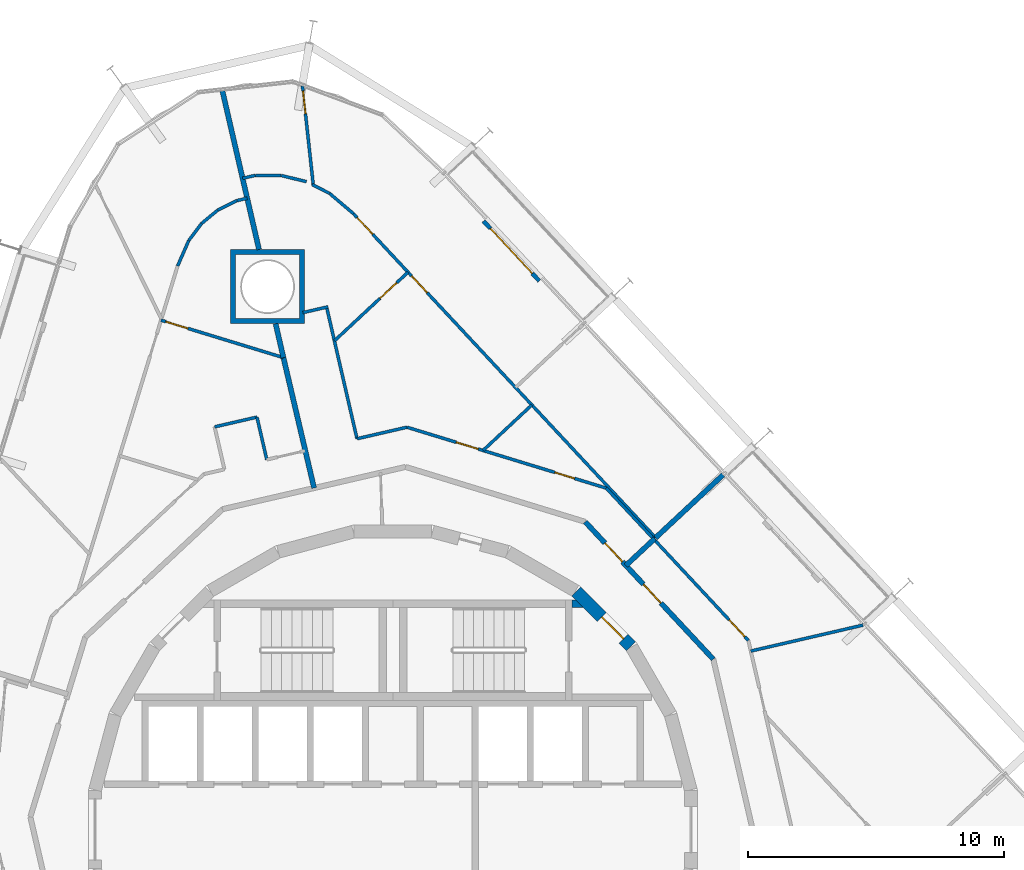
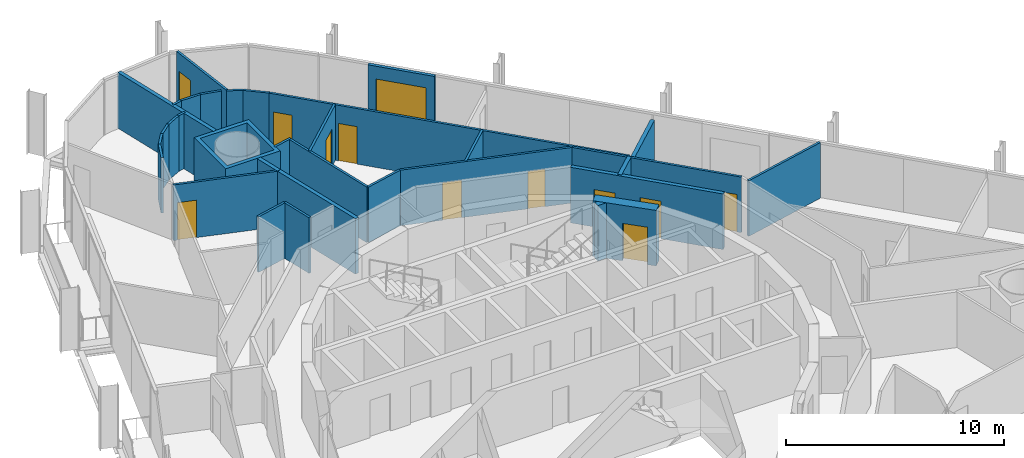
# One storey, part 16 of 18: 33 walls, 12 doors, 12 openings.
"""IFC4 building model written with IfcOpenShell, lengths in metres."""

from ifc_helpers import new_model, si_unit, direction, frame, frame_2d, origin, place, context, subcontext, project, spatial, polyline, rectangle, outline, extrude, material, layer, layer_set, type_object, element, fill, save


model = new_model("IFC4")

# Units and contexts
model_context = context("Model", 3, precision=1e-05, world=origin(), true_north=direction((0.0, 1.0)))
body_context = subcontext(model_context, "Body", "Model", "MODEL_VIEW")
ifc_project = project(units=[si_unit("LENGTHUNIT", "METRE"), si_unit("AREAUNIT", "SQUARE_METRE"), si_unit("VOLUMEUNIT", "CUBIC_METRE"), si_unit("PLANEANGLEUNIT", "RADIAN"), si_unit("MASSUNIT", "GRAM", prefix="KILO")], contexts=[model_context])

# Site, building, storey
site_placement = place(None, origin())
site = spatial("IfcSite", under=ifc_project, at=site_placement, CompositionType="ELEMENT")
building_placement = place(site_placement, origin())
building = spatial("IfcBuilding", under=site, at=building_placement, Name="Spindle Arch Residences", CompositionType="ELEMENT")
storey_placement = place(building_placement, frame((0.0, 0.0, 134.39990234375)))
storey = spatial("IfcBuildingStorey", under=building, at=storey_placement, Name="L33", CompositionType="ELEMENT", Elevation=134.39990234375)

# Wall, opening, door
ifc_material_1 = material(Name="Concrete C50/60", Category="concrete")
ifc_layer_1 = layer(ifc_material_1, 0.5)
ifc_layer_set_1 = layer_set([ifc_layer_1], Name="Core outline wall 500")
wall_type_1 = type_object("IfcWallType", Name="Core outline wall 500", PredefinedType="SHEAR", material=ifc_layer_set_1)
wall_1_placement = place(storey_placement, frame((9.30810546875, 7.163818359375, 0.0), z_axis=(0.0, 0.0, 1.0), x_axis=(-0.707106781187, 0.707106781187, 0.0)))
wall_1 = element("IfcWall", 1, at=wall_1_placement, inside=storey, type_object=wall_type_1, Name="Core outline wall 9", PredefinedType="SHEAR", context=body_context, shape_type="SweptSolid", body=[
    extrude(rectangle(XDim=3.032470703125, YDim=0.5, at=frame_2d((1.51611328125, 0.0))), origin(), (0.0, 0.0, 1.0), 3.1201171875),
])
opening_1_placement = place(wall_1_placement, frame((0.416259765625, 0.0, 0.0)))
opening_1 = element("IfcOpeningElement", 2, at=opening_1_placement, cuts=wall_1, Name="Opening R3C0-AD01", PredefinedType="OPENING", context=body_context, shape_type="SweptSolid", body=[
    extrude(rectangle(XDim=1.199951171875, YDim=2.10009765625, at=frame_2d((0.60009765625, 1.050048828125))), frame((0.0, 0.260009765625, 0.0), z_axis=(0.0, -1.0, 0.0), x_axis=(1.0, 0.0, 0.0)), (0.0, 0.0, 1.0), 0.52001953125),
])
ifc_material_2 = material(Name="Steel, fire-resisting door", Category="steel")
door_type_1 = type_object("IfcDoorType", Name="Stair airlock door 1200x2100", OperationType="SINGLE_SWING_LEFT", PredefinedType="DOOR", material=ifc_material_2)
door_1_placement = place(opening_1_placement, origin())
door_1 = element("IfcDoor", 3, at=door_1_placement, inside=storey, type_object=door_type_1, Name="Stair airlock door R3C0-AD01", OperationType="SINGLE_SWING_RIGHT", OverallHeight=2.10009765625, OverallWidth=1.199951171875, PredefinedType="DOOR", context=body_context, shape_type="SweptSolid", body=[
    extrude(rectangle(XDim=1.199951171875, YDim=2.10009765625, at=frame_2d((0.60009765625, 1.050048828125))), frame((0.0, 0.02490234375, 0.0), z_axis=(0.0, -1.0, 0.0), x_axis=(1.0, 0.0, 0.0)), (0.0, 0.0, 1.0), 0.050048828125),
])
fill(opening_1, door_1)

# Wall, openings, doors
ifc_material_3 = material(Name="Calcium silicate block, plastered")
ifc_layer_2 = layer(ifc_material_3, 0.199951171875)
ifc_layer_set_2 = layer_set([ifc_layer_2], Name="Corridor wall 200")
wall_type_2 = type_object("IfcWallType", Name="Corridor wall 200", PredefinedType="STANDARD", material=ifc_layer_set_2)
wall_2_placement = place(storey_placement, frame((12.523193359375, 6.65869140625, 0.0), z_axis=(0.0, 0.0, 1.0), x_axis=(-0.682001841105, 0.731350455479, 0.0)))
wall_2 = element("IfcWall", 4, at=wall_2_placement, inside=storey, type_object=wall_type_2, Name="Corridor wall R3C0-W006", PredefinedType="STANDARD", context=body_context, shape_type="SweptSolid", body=[
    extrude(rectangle(XDim=7.341796875, YDim=0.199951171875, at=frame_2d((3.6708984375, 0.0))), origin(), (0.0, 0.0, 1.0), 3.1201171875),
])
opening_2_placement = place(wall_2_placement, frame((3.0, 0.0, 0.0)))
opening_2 = element("IfcOpeningElement", 5, at=opening_2_placement, cuts=wall_2, Name="Opening R3C0-FD01", PredefinedType="OPENING", context=body_context, shape_type="SweptSolid", body=[
    extrude(rectangle(XDim=1.0, YDim=2.10009765625, at=frame_2d((0.5, 1.050048828125))), frame((0.0, 0.10986328125, 0.0), z_axis=(0.0, -1.0, 0.0), x_axis=(1.0, 0.0, 0.0)), (0.0, 0.0, 1.0), 0.219970703125),
])
opening_3_placement = place(wall_2_placement, frame((5.209228515625, 0.0, 0.0)))
opening_3 = element("IfcOpeningElement", 6, at=opening_3_placement, cuts=wall_2, Name="Opening R3C0-FD02", PredefinedType="OPENING", context=body_context, shape_type="SweptSolid", body=[
    extrude(rectangle(XDim=1.0, YDim=2.10009765625, at=frame_2d((0.5, 1.050048828125))), frame((0.0, 0.10986328125, 0.0), z_axis=(0.0, -1.0, 0.0), x_axis=(1.0, 0.0, 0.0)), (0.0, 0.0, 1.0), 0.219970703125),
])
ifc_material_4 = material(Name="Timber, fire-resisting door set", Category="wood")
door_type_2 = type_object("IfcDoorType", Name="Flat entrance door 1000x2100", OperationType="NOTDEFINED", PredefinedType="DOOR", material=ifc_material_4)
door_2_placement = place(opening_2_placement, origin())
door_2 = element("IfcDoor", 7, at=door_2_placement, inside=storey, type_object=door_type_2, Name="Flat entrance door R3C0-FD01", OperationType="SINGLE_SWING_LEFT", OverallHeight=2.10009765625, OverallWidth=1.0, PredefinedType="DOOR", context=body_context, shape_type="SweptSolid", body=[
    extrude(rectangle(XDim=1.0, YDim=2.10009765625, at=frame_2d((0.5, 1.050048828125))), frame((0.0, 0.02490234375, 0.0), z_axis=(0.0, -1.0, 0.0), x_axis=(1.0, 0.0, 0.0)), (0.0, 0.0, 1.0), 0.050048828125),
])
fill(opening_2, door_2)
door_3_placement = place(opening_3_placement, origin())
door_3 = element("IfcDoor", 8, at=door_3_placement, inside=storey, type_object=door_type_2, Name="Flat entrance door R3C0-FD02", OperationType="SINGLE_SWING_RIGHT", OverallHeight=2.10009765625, OverallWidth=1.0, PredefinedType="DOOR", context=body_context, shape_type="SweptSolid", body=[
    extrude(rectangle(XDim=1.0, YDim=2.10009765625, at=frame_2d((0.5, 1.050048828125))), frame((0.0, 0.02490234375, 0.0), z_axis=(0.0, -1.0, 0.0), x_axis=(1.0, 0.0, 0.0)), (0.0, 0.0, 1.0), 0.050048828125),
])
fill(opening_3, door_3)

# Wall, opening, door
ifc_material_5 = material(Name="Plasterboard on steel studs", Category="steel")
ifc_layer_3 = layer(ifc_material_5, 0.1201171875)
ifc_layer_set_3 = layer_set([ifc_layer_3], Name="Flat partition 120")
wall_type_3 = type_object("IfcWallType", Name="Flat partition 120", PredefinedType="PARTITIONING", material=ifc_layer_set_3)
wall_3_placement = place(storey_placement, frame((13.894287109375, 7.3876953125, 0.0), z_axis=(0.0, 0.0, 1.0), x_axis=(-0.681994622729, 0.731357186721, 0.0)))
wall_3 = element("IfcWall", 9, at=wall_3_placement, inside=storey, type_object=wall_type_3, Name="Flat partition R3C0-W034", PredefinedType="PARTITIONING", context=body_context, shape_type="SweptSolid", body=[
    extrude(rectangle(XDim=8.145751953125, YDim=0.1201171875, at=frame_2d((4.07275390625, 0.0))), origin(), (0.0, 0.0, 1.0), 3.1201171875),
])
opening_4_placement = place(wall_3_placement, frame((0.199951171875, 0.0, 0.0)))
opening_4 = element("IfcOpeningElement", 10, at=opening_4_placement, cuts=wall_3, Name="Opening R3C0-ID03", PredefinedType="OPENING", context=body_context, shape_type="SweptSolid", body=[
    extrude(rectangle(XDim=0.89990234375, YDim=2.10009765625, at=frame_2d((0.449951171875, 1.050048828125))), frame((0.0, 0.070068359375, 0.0), z_axis=(0.0, -1.0, 0.0), x_axis=(1.0, 0.0, 0.0)), (0.0, 0.0, 1.0), 0.14013671875),
])
ifc_material_6 = material(Name="Timber door set", Category="wood")
door_type_3 = type_object("IfcDoorType", Name="Room door 900x2100", OperationType="NOTDEFINED", PredefinedType="DOOR", material=ifc_material_6)
door_4_placement = place(opening_4_placement, origin())
door_4 = element("IfcDoor", 11, at=door_4_placement, inside=storey, type_object=door_type_3, Name="Room door R3C0-ID03", OperationType="SINGLE_SWING_LEFT", OverallHeight=2.10009765625, OverallWidth=0.89990234375, PredefinedType="DOOR", context=body_context, shape_type="SweptSolid", body=[
    extrude(rectangle(XDim=0.89990234375, YDim=2.10009765625, at=frame_2d((0.449951171875, 1.050048828125))), frame((0.0, 0.02490234375, 0.0), z_axis=(0.0, -1.0, 0.0), x_axis=(1.0, 0.0, 0.0)), (0.0, 0.0, 1.0), 0.050048828125),
])
fill(opening_4, door_4)

# Wall
wall_4_placement = place(storey_placement, frame((18.379150390625, 7.989990234375, 0.0), z_axis=(0.0, 0.0, 1.0), x_axis=(-0.974372926515, -0.224938658471, 0.0)))
element("IfcWall", 12, at=wall_4_placement, inside=storey, type_object=wall_type_3, Name="Flat partition R3C0-W040", PredefinedType="PARTITIONING", context=body_context, shape_type="SweptSolid", body=[
    extrude(rectangle(XDim=4.50537109375, YDim=0.1201171875, at=frame_2d((2.252685546875, 0.0))), origin(), (0.0, 0.0, 1.0), 3.1201171875),
])

# Wall, openings, doors
wall_5_placement = place(storey_placement, frame((8.3388671875, 13.34521484375, 0.0), z_axis=(0.0, 0.0, 1.0), x_axis=(-0.956310145342, 0.292354076276, 0.0)))
wall_5 = element("IfcWall", 13, at=wall_5_placement, inside=storey, type_object=wall_type_3, Name="Flat partition R3C0-W043", PredefinedType="PARTITIONING", context=body_context, shape_type="SweptSolid", body=[
    extrude(rectangle(XDim=8.1455078125, YDim=0.1201171875, at=frame_2d((4.07275390625, 0.0))), origin(), (0.0, 0.0, 1.0), 3.1201171875),
])
opening_5_placement = place(wall_5_placement, frame((1.300048828125, 0.0, 0.0)))
opening_5 = element("IfcOpeningElement", 14, at=opening_5_placement, cuts=wall_5, Name="Opening R3C0-BD02", PredefinedType="OPENING", context=body_context, shape_type="SweptSolid", body=[
    extrude(rectangle(XDim=0.800048828125, YDim=2.10009765625, at=frame_2d((0.39990234375, 1.050048828125))), frame((0.0, 0.070068359375, 0.0), z_axis=(0.0, -1.0, 0.0), x_axis=(1.0, 0.0, 0.0)), (0.0, 0.0, 1.0), 0.14013671875),
])
opening_6_placement = place(wall_5_placement, frame((5.236572265625, 0.0, 0.0)))
opening_6 = element("IfcOpeningElement", 15, at=opening_6_placement, cuts=wall_5, Name="Opening R3C0-ID07", PredefinedType="OPENING", context=body_context, shape_type="SweptSolid", body=[
    extrude(rectangle(XDim=0.89990234375, YDim=2.10009765625, at=frame_2d((0.449951171875, 1.050048828125))), frame((0.0, 0.070068359375, 0.0), z_axis=(0.0, -1.0, 0.0), x_axis=(1.0, 0.0, 0.0)), (0.0, 0.0, 1.0), 0.14013671875),
])
ifc_material_7 = material(Name="Timber door set", Category="wood")
door_type_4 = type_object("IfcDoorType", Name="Bathroom door 800x2100", OperationType="NOTDEFINED", PredefinedType="DOOR", material=ifc_material_7)
door_5_placement = place(opening_5_placement, origin())
door_5 = element("IfcDoor", 16, at=door_5_placement, inside=storey, type_object=door_type_4, Name="Bathroom door R3C0-BD02", OperationType="SINGLE_SWING_RIGHT", OverallHeight=2.10009765625, OverallWidth=0.800048828125, PredefinedType="DOOR", context=body_context, shape_type="SweptSolid", body=[
    extrude(rectangle(XDim=0.800048828125, YDim=2.10009765625, at=frame_2d((0.39990234375, 1.050048828125))), frame((0.0, 0.02490234375, 0.0), z_axis=(0.0, -1.0, 0.0), x_axis=(1.0, 0.0, 0.0)), (0.0, 0.0, 1.0), 0.050048828125),
])
fill(opening_5, door_5)
door_6_placement = place(opening_6_placement, origin())
door_6 = element("IfcDoor", 17, at=door_6_placement, inside=storey, type_object=door_type_3, Name="Room door R3C0-ID07", OperationType="SINGLE_SWING_RIGHT", OverallHeight=2.10009765625, OverallWidth=0.89990234375, PredefinedType="DOOR", context=body_context, shape_type="SweptSolid", body=[
    extrude(rectangle(XDim=0.89990234375, YDim=2.10009765625, at=frame_2d((0.449951171875, 1.050048828125))), frame((0.0, 0.02490234375, 0.0), z_axis=(0.0, -1.0, 0.0), x_axis=(1.0, 0.0, 0.0)), (0.0, 0.0, 1.0), 0.050048828125),
])
fill(opening_6, door_6)

# Walls
wall_6_placement = place(storey_placement, frame((0.54931640625, 15.7265625, 0.0), z_axis=(0.0, 0.0, 1.0), x_axis=(-0.97436861061, -0.224957352975, 0.0)))
element("IfcWall", 18, at=wall_6_placement, inside=storey, type_object=wall_type_3, Name="Flat partition R3C0-W044", PredefinedType="PARTITIONING", context=body_context, shape_type="SweptSolid", body=[
    extrude(rectangle(XDim=2.00439453125, YDim=0.1201171875, at=frame_2d((1.002197265625, 0.0))), origin(), (0.0, 0.0, 1.0), 3.1201171875),
])
wall_7_placement = place(storey_placement, frame((-1.40380859375, 15.275634765625, 0.0), z_axis=(0.0, 0.0, 1.0), x_axis=(-0.224947305813, 0.974370930194, 0.0)))
element("IfcWall", 19, at=wall_7_placement, inside=storey, type_object=wall_type_3, Name="Flat partition R3C0-W045", PredefinedType="PARTITIONING", context=body_context, shape_type="SweptSolid", body=[
    extrude(rectangle(XDim=5.280029296875, YDim=0.1201171875, at=frame_2d((2.64013671875, 0.0))), origin(), (0.0, 0.0, 1.0), 3.1201171875),
])
wall_8_placement = place(storey_placement, frame((-2.533203125, 20.43408203125, 0.0), z_axis=(0.0, 0.0, 1.0), x_axis=(-0.974387124574, -0.224877147491, 0.0)))
element("IfcWall", 20, at=wall_8_placement, inside=storey, type_object=wall_type_3, Name="Flat partition R3C0-W046", PredefinedType="PARTITIONING", context=body_context, shape_type="SweptSolid", body=[
    extrude(rectangle(XDim=1.0107421875, YDim=0.1201171875, at=frame_2d((0.50537109375, 0.0))), origin(), (0.0, 0.0, 1.0), 3.1201171875),
])

# Wall, openings, doors
wall_9_placement = place(storey_placement, frame((-1.538818359375, 24.07080078125, 0.0), z_axis=(0.0, 0.0, 1.0), x_axis=(0.68200220595, -0.731350115252, 0.0)))
wall_9 = element("IfcWall", 21, at=wall_9_placement, inside=storey, type_object=wall_type_3, Name="Flat partition R3C0-W047", PredefinedType="PARTITIONING", context=body_context, shape_type="SweptSolid", body=[
    extrude(rectangle(XDim=17.315673828125, YDim=0.1201171875, at=frame_2d((8.65771484375, 0.0))), origin(), (0.0, 0.0, 1.0), 3.1201171875),
])
opening_7_placement = place(wall_9_placement, frame((3.322998046875, 0.0, 0.0)))
opening_7 = element("IfcOpeningElement", 22, at=opening_7_placement, cuts=wall_9, Name="Opening R3C0-ID08", PredefinedType="OPENING", context=body_context, shape_type="SweptSolid", body=[
    extrude(rectangle(XDim=0.89990234375, YDim=2.10009765625, at=frame_2d((0.449951171875, 1.050048828125))), frame((0.0, 0.070068359375, 0.0), z_axis=(0.0, -1.0, 0.0), x_axis=(1.0, 0.0, 0.0)), (0.0, 0.0, 1.0), 0.14013671875),
])
opening_8_placement = place(wall_9_placement, frame((0.199951171875, 0.0, 0.0)))
opening_8 = element("IfcOpeningElement", 23, at=opening_8_placement, cuts=wall_9, Name="Opening R3C0-ID12", PredefinedType="OPENING", context=body_context, shape_type="SweptSolid", body=[
    extrude(rectangle(XDim=0.89990234375, YDim=2.10009765625, at=frame_2d((0.449951171875, 1.050048828125))), frame((0.0, 0.070068359375, 0.0), z_axis=(0.0, -1.0, 0.0), x_axis=(1.0, 0.0, 0.0)), (0.0, 0.0, 1.0), 0.14013671875),
])
door_7_placement = place(opening_7_placement, origin())
door_7 = element("IfcDoor", 24, at=door_7_placement, inside=storey, type_object=door_type_3, Name="Room door R3C0-ID08", OperationType="SINGLE_SWING_RIGHT", OverallHeight=2.10009765625, OverallWidth=0.89990234375, PredefinedType="DOOR", context=body_context, shape_type="SweptSolid", body=[
    extrude(rectangle(XDim=0.89990234375, YDim=2.10009765625, at=frame_2d((0.449951171875, 1.050048828125))), frame((0.0, 0.02490234375, 0.0), z_axis=(0.0, -1.0, 0.0), x_axis=(1.0, 0.0, 0.0)), (0.0, 0.0, 1.0), 0.050048828125),
])
fill(opening_7, door_7)
door_8_placement = place(opening_8_placement, origin())
door_8 = element("IfcDoor", 25, at=door_8_placement, inside=storey, type_object=door_type_3, Name="Room door R3C0-ID12", OperationType="SINGLE_SWING_LEFT", OverallHeight=2.10009765625, OverallWidth=0.89990234375, PredefinedType="DOOR", context=body_context, shape_type="SweptSolid", body=[
    extrude(rectangle(XDim=0.89990234375, YDim=2.10009765625, at=frame_2d((0.449951171875, 1.050048828125))), frame((0.0, 0.02490234375, 0.0), z_axis=(0.0, -1.0, 0.0), x_axis=(1.0, 0.0, 0.0)), (0.0, 0.0, 1.0), 0.050048828125),
])
fill(opening_8, door_8)

# Walls
wall_10_placement = place(storey_placement, frame((5.4306640625, 16.596923828125, 0.0), z_axis=(0.0, 0.0, 1.0), x_axis=(-0.731378807316, -0.681971436505, 0.0)))
element("IfcWall", 26, at=wall_10_placement, inside=storey, type_object=wall_type_3, Name="Flat partition R3C0-W049", PredefinedType="PARTITIONING", context=body_context, shape_type="SweptSolid", body=[
    extrude(rectangle(XDim=2.609130859375, YDim=0.1201171875, at=frame_2d((1.3046875, 0.0))), origin(), (0.0, 0.0, 1.0), 3.1201171875),
])
wall_11_placement = place(storey_placement, frame((-3.156005859375, 25.21240234375, 0.0), z_axis=(0.0, 0.0, 1.0), x_axis=(0.890954246936, -0.454093085025, 0.0)))
element("IfcWall", 27, at=wall_11_placement, inside=storey, type_object=wall_type_3, Name="Flat partition R3C0-W050", PredefinedType="PARTITIONING", context=body_context, shape_type="SweptSolid", body=[
    extrude(rectangle(XDim=0.76513671875, YDim=0.1201171875, at=frame_2d((0.382568359375, 0.0))), origin(), (0.0, 0.0, 1.0), 3.1201171875),
])
wall_12_placement = place(storey_placement, frame((-2.474365234375, 24.864990234375, 0.0), z_axis=(0.0, 0.0, 1.0), x_axis=(0.762351487461, -0.647163201647, 0.0)))
element("IfcWall", 28, at=wall_12_placement, inside=storey, type_object=wall_type_3, Name="Flat partition R3C0-W051", PredefinedType="PARTITIONING", context=body_context, shape_type="SweptSolid", body=[
    extrude(rectangle(XDim=1.227294921875, YDim=0.1201171875, at=frame_2d((0.61376953125, 0.0))), origin(), (0.0, 0.0, 1.0), 3.1201171875),
])

# Wall, opening, door
wall_13_placement = place(storey_placement, frame((-3.53759765625, 29.069580078125, 0.0), z_axis=(0.0, 0.0, 1.0), x_axis=(0.1087420482, -0.994070001033, 0.0)))
wall_13 = element("IfcWall", 29, at=wall_13_placement, inside=storey, type_object=wall_type_3, Name="Flat partition R3C0-W052", PredefinedType="PARTITIONING", context=body_context, shape_type="SweptSolid", body=[
    extrude(rectangle(XDim=3.902099609375, YDim=0.1201171875, at=frame_2d((1.951171875, 0.0))), origin(), (0.0, 0.0, 1.0), 3.1201171875),
])
opening_9_placement = place(wall_13_placement, frame((0.199951171875, 0.0, 0.0)))
opening_9 = element("IfcOpeningElement", 30, at=opening_9_placement, cuts=wall_13, Name="Opening R3C0-ID11", PredefinedType="OPENING", context=body_context, shape_type="SweptSolid", body=[
    extrude(rectangle(XDim=0.89990234375, YDim=2.10009765625, at=frame_2d((0.449951171875, 1.050048828125))), frame((0.0, 0.070068359375, 0.0), z_axis=(0.0, -1.0, 0.0), x_axis=(1.0, 0.0, 0.0)), (0.0, 0.0, 1.0), 0.14013671875),
])
door_9_placement = place(opening_9_placement, origin())
door_9 = element("IfcDoor", 31, at=door_9_placement, inside=storey, type_object=door_type_3, Name="Room door R3C0-ID11", OperationType="SINGLE_SWING_RIGHT", OverallHeight=2.10009765625, OverallWidth=0.89990234375, PredefinedType="DOOR", context=body_context, shape_type="SweptSolid", body=[
    extrude(rectangle(XDim=0.89990234375, YDim=2.10009765625, at=frame_2d((0.449951171875, 1.050048828125))), frame((0.0, 0.02490234375, 0.0), z_axis=(0.0, -1.0, 0.0), x_axis=(1.0, 0.0, 0.0)), (0.0, 0.0, 1.0), 0.050048828125),
])
fill(opening_9, door_9)

wall_14_placement = place(storey_placement, frame((0.591064453125, 21.786865234375, 0.0), z_axis=(0.0, 0.0, 1.0), x_axis=(-0.731364619453, -0.681986651931, 0.0)))
wall_14 = element("IfcWall", 32, at=wall_14_placement, inside=storey, type_object=wall_type_3, Name="Flat partition R3C0-W053", PredefinedType="PARTITIONING", context=body_context, shape_type="SweptSolid", body=[
    extrude(rectangle(XDim=3.935791015625, YDim=0.1201171875, at=frame_2d((1.9677734375, 0.0))), origin(), (0.0, 0.0, 1.0), 3.1201171875),
])
opening_10_placement = place(wall_14_placement, frame((0.60009765625, 0.0, 0.0)))
opening_10 = element("IfcOpeningElement", 33, at=opening_10_placement, cuts=wall_14, Name="Opening R3C0-ID09", PredefinedType="OPENING", context=body_context, shape_type="SweptSolid", body=[
    extrude(rectangle(XDim=0.89990234375, YDim=2.10009765625, at=frame_2d((0.449951171875, 1.050048828125))), frame((0.0, 0.070068359375, 0.0), z_axis=(0.0, -1.0, 0.0), x_axis=(1.0, 0.0, 0.0)), (0.0, 0.0, 1.0), 0.14013671875),
])
door_10_placement = place(opening_10_placement, origin())
door_10 = element("IfcDoor", 34, at=door_10_placement, inside=storey, type_object=door_type_3, Name="Room door R3C0-ID09", OperationType="SINGLE_SWING_RIGHT", OverallHeight=2.10009765625, OverallWidth=0.89990234375, PredefinedType="DOOR", context=body_context, shape_type="SweptSolid", body=[
    extrude(rectangle(XDim=0.89990234375, YDim=2.10009765625, at=frame_2d((0.449951171875, 1.050048828125))), frame((0.0, 0.02490234375, 0.0), z_axis=(0.0, -1.0, 0.0), x_axis=(1.0, 0.0, 0.0)), (0.0, 0.0, 1.0), 0.050048828125),
])
fill(opening_10, door_10)

# Walls
wall_15_placement = place(storey_placement, frame((-3.37939453125, 25.326416015625, 0.0), z_axis=(0.0, 0.0, 1.0), x_axis=(-0.971704876381, 0.236198292157, 0.0)))
element("IfcWall", 35, at=wall_15_placement, inside=storey, type_object=wall_type_3, Name="Flat partition R3C0-W054", PredefinedType="PARTITIONING", context=body_context, shape_type="SweptSolid", body=[
    extrude(rectangle(XDim=1.01611328125, YDim=0.1201171875, at=frame_2d((0.508056640625, 0.0))), origin(), (0.0, 0.0, 1.0), 3.1201171875),
])
wall_16_placement = place(storey_placement, frame((-4.36669921875, 25.56640625, 0.0), z_axis=(0.0, 0.0, 1.0), x_axis=(-0.999983366401, 0.005767748328, 0.0)))
element("IfcWall", 36, at=wall_16_placement, inside=storey, type_object=wall_type_3, Name="Flat partition R3C0-W055", PredefinedType="PARTITIONING", context=body_context, shape_type="SweptSolid", body=[
    extrude(rectangle(XDim=1.015869140625, YDim=0.1201171875, at=frame_2d((0.5078125, 0.0))), origin(), (0.0, 0.0, 1.0), 3.1201171875),
])
wall_17_placement = place(storey_placement, frame((-5.382568359375, 25.572265625, 0.0), z_axis=(0.0, 0.0, 1.0), x_axis=(-0.974366885246, -0.224964825997, 0.0)))
element("IfcWall", 37, at=wall_17_placement, inside=storey, type_object=wall_type_3, Name="Flat partition R3C0-W056", PredefinedType="PARTITIONING", context=body_context, shape_type="SweptSolid", body=[
    extrude(rectangle(XDim=0.5078125, YDim=0.1201171875, at=frame_2d((0.25390625, 0.0))), origin(), (0.0, 0.0, 1.0), 3.1201171875),
])
wall_18_placement = place(storey_placement, frame((-4.931396484375, 14.461181640625, 0.0), z_axis=(0.0, 0.0, 1.0), x_axis=(-0.224911785629, 0.974379129849, 0.0)))
element("IfcWall", 38, at=wall_18_placement, inside=storey, type_object=wall_type_3, Name="Flat partition R3C0-W058", PredefinedType="PARTITIONING", context=body_context, shape_type="SweptSolid", body=[
    extrude(rectangle(XDim=1.705322265625, YDim=0.1201171875, at=frame_2d((0.8525390625, 0.0))), origin(), (0.0, 0.0, 1.0), 3.1201171875),
])
wall_19_placement = place(storey_placement, frame((-5.31494140625, 16.122802734375, 0.0), z_axis=(0.0, 0.0, 1.0), x_axis=(-0.974352456598, -0.225027310168, 0.0)))
element("IfcWall", 39, at=wall_19_placement, inside=storey, type_object=wall_type_3, Name="Flat partition R3C0-W059", PredefinedType="PARTITIONING", context=body_context, shape_type="SweptSolid", body=[
    extrude(rectangle(XDim=1.7001953125, YDim=0.1201171875, at=frame_2d((0.85009765625, 0.0))), origin(), (0.0, 0.0, 1.0), 3.1201171875),
])
wall_20_placement = place(storey_placement, frame((-5.697509765625, 24.6787109375, 0.0), z_axis=(0.0, 0.0, 1.0), x_axis=(-0.974222160042, -0.225590742017, 0.0)))
element("IfcWall", 40, at=wall_20_placement, inside=storey, type_object=wall_type_3, Name="Flat partition R3C0-W064", PredefinedType="PARTITIONING", context=body_context, shape_type="SweptSolid", body=[
    extrude(rectangle(XDim=0.41455078125, YDim=0.1201171875, at=frame_2d((0.207275390625, 0.0))), origin(), (0.0, 0.0, 1.0), 3.1201171875),
])
wall_21_placement = place(storey_placement, frame((-6.101318359375, 24.585205078125, 0.0), z_axis=(0.0, 0.0, 1.0), x_axis=(-0.896362871824, -0.443321104862, 0.0)))
element("IfcWall", 41, at=wall_21_placement, inside=storey, type_object=wall_type_3, Name="Flat partition R3C0-W065", PredefinedType="PARTITIONING", context=body_context, shape_type="SweptSolid", body=[
    extrude(rectangle(XDim=0.828857421875, YDim=0.1201171875, at=frame_2d((0.41455078125, 0.0))), origin(), (0.0, 0.0, 1.0), 3.1201171875),
])
wall_22_placement = place(storey_placement, frame((-6.84423828125, 24.2177734375, 0.0), z_axis=(0.0, 0.0, 1.0), x_axis=(-0.769715611418, -0.63838693403, 0.0)))
element("IfcWall", 42, at=wall_22_placement, inside=storey, type_object=wall_type_3, Name="Flat partition R3C0-W066", PredefinedType="PARTITIONING", context=body_context, shape_type="SweptSolid", body=[
    extrude(rectangle(XDim=0.8291015625, YDim=0.1201171875, at=frame_2d((0.41455078125, 0.0))), origin(), (0.0, 0.0, 1.0), 3.1201171875),
])
wall_23_placement = place(storey_placement, frame((-7.482421875, 23.6884765625, 0.0), z_axis=(0.0, 0.0, 1.0), x_axis=(-0.601836624867, -0.798619231529, 0.0)))
element("IfcWall", 43, at=wall_23_placement, inside=storey, type_object=wall_type_3, Name="Flat partition R3C0-W067", PredefinedType="PARTITIONING", context=body_context, shape_type="SweptSolid", body=[
    extrude(rectangle(XDim=0.828857421875, YDim=0.1201171875, at=frame_2d((0.41455078125, 0.0))), origin(), (0.0, 0.0, 1.0), 3.1201171875),
])
wall_24_placement = place(storey_placement, frame((-7.981201171875, 23.026611328125, 0.0), z_axis=(0.0, 0.0, 1.0), x_axis=(-0.401360750198, -0.915920055573, 0.0)))
element("IfcWall", 44, at=wall_24_placement, inside=storey, type_object=wall_type_3, Name="Flat partition R3C0-W068", PredefinedType="PARTITIONING", context=body_context, shape_type="SweptSolid", body=[
    extrude(rectangle(XDim=1.0869140625, YDim=0.1201171875, at=frame_2d((0.54345703125, 0.0))), origin(), (0.0, 0.0, 1.0), 3.1201171875),
])

# Wall, opening, door
wall_25_placement = place(storey_placement, frame((-9.06591796875, 19.910400390625, 0.0), z_axis=(0.0, 0.0, 1.0), x_axis=(0.956313309797, -0.292343724928, 0.0)))
wall_25 = element("IfcWall", 45, at=wall_25_placement, inside=storey, type_object=wall_type_3, Name="Flat partition R3C0-W070", PredefinedType="PARTITIONING", context=body_context, shape_type="SweptSolid", body=[
    extrude(rectangle(XDim=5.00390625, YDim=0.1201171875, at=frame_2d((2.501953125, 0.0))), origin(), (0.0, 0.0, 1.0), 3.1201171875),
])
opening_11_placement = place(wall_25_placement, frame((0.199951171875, 0.0, 0.0)))
opening_11 = element("IfcOpeningElement", 46, at=opening_11_placement, cuts=wall_25, Name="Opening R3C0-ID15", PredefinedType="OPENING", context=body_context, shape_type="SweptSolid", body=[
    extrude(rectangle(XDim=0.89990234375, YDim=2.10009765625, at=frame_2d((0.449951171875, 1.050048828125))), frame((0.0, 0.070068359375, 0.0), z_axis=(0.0, -1.0, 0.0), x_axis=(1.0, 0.0, 0.0)), (0.0, 0.0, 1.0), 0.14013671875),
])
door_11_placement = place(opening_11_placement, origin())
door_11 = element("IfcDoor", 47, at=door_11_placement, inside=storey, type_object=door_type_3, Name="Room door R3C0-ID15", OperationType="SINGLE_SWING_LEFT", OverallHeight=2.10009765625, OverallWidth=0.89990234375, PredefinedType="DOOR", context=body_context, shape_type="SweptSolid", body=[
    extrude(rectangle(XDim=0.89990234375, YDim=2.10009765625, at=frame_2d((0.449951171875, 1.050048828125))), frame((0.0, 0.02490234375, 0.0), z_axis=(0.0, -1.0, 0.0), x_axis=(1.0, 0.0, 0.0)), (0.0, 0.0, 1.0), 0.050048828125),
])
fill(opening_11, door_11)

# Walls
ifc_material_8 = material(Name="Calcium silicate block, plastered")
ifc_layer_4 = layer(ifc_material_8, 0.199951171875)
ifc_layer_set_4 = layer_set([ifc_layer_4], Name="Flat party wall 200")
wall_type_4 = type_object("IfcWallType", Name="Flat party wall 200", PredefinedType="STANDARD", material=ifc_layer_set_4)
wall_26_placement = place(storey_placement, frame((10.233154296875, 11.372314453125, 0.0), z_axis=(0.0, 0.0, 1.0), x_axis=(-0.731329353292, -0.682024469513, 0.0)))
element("IfcWall", 48, at=wall_26_placement, inside=storey, type_object=wall_type_4, Name="Flat party wall R3C0-W016", PredefinedType="STANDARD", context=body_context, shape_type="SweptSolid", body=[
    extrude(rectangle(XDim=1.5400390625, YDim=0.199951171875, at=frame_2d((0.77001953125, 0.0))), origin(), (0.0, 0.0, 1.0), 3.1201171875),
])
wall_27_placement = place(storey_placement, frame((-4.280517578125, 18.447509765625, 0.0), z_axis=(0.0, 0.0, 1.0), x_axis=(0.228867856942, -0.973457499873, 0.0)))
element("IfcWall", 49, at=wall_27_placement, inside=storey, type_object=wall_type_4, Name="Flat party wall R3C0-W021", PredefinedType="STANDARD", context=body_context, shape_type="SweptSolid", body=[
    extrude(rectangle(XDim=5.237548828125, YDim=0.199951171875, at=frame_2d((2.61865234375, 0.0))), origin(), (0.0, 0.0, 1.0), 3.1201171875),
])
wall_28_placement = place(storey_placement, frame((-4.5859375, 19.770751953125, 0.0), z_axis=(0.0, 0.0, 1.0), x_axis=(0.224898895484, -0.974382105136, 0.0)))
element("IfcWall", 50, at=wall_28_placement, inside=storey, type_object=wall_type_4, Name="Flat party wall R3C0-W022", PredefinedType="STANDARD", context=body_context, shape_type="SweptSolid", body=[
    extrude(rectangle(XDim=1.35791015625, YDim=0.199951171875, at=frame_2d((0.678955078125, 0.0))), origin(), (0.0, 0.0, 1.0), 3.1201171875),
])
wall_29_placement = place(storey_placement, frame((-6.687255859375, 28.9658203125, 0.0), z_axis=(0.0, 0.0, 1.0), x_axis=(0.224945100086, -0.974371439415, 0.0)))
element("IfcWall", 51, at=wall_29_placement, inside=storey, type_object=wall_type_4, Name="Flat party wall R3C0-W023", PredefinedType="STANDARD", context=body_context, shape_type="SweptSolid", body=[
    extrude(rectangle(XDim=6.457763671875, YDim=0.199951171875, at=frame_2d((3.22900390625, 0.0))), origin(), (0.0, 0.0, 1.0), 3.1201171875),
])
ifc_material_9 = material(Name="Calcium silicate block, plastered")
ifc_layer_5 = layer(ifc_material_9, 0.199951171875)
ifc_layer_set_5 = layer_set([ifc_layer_5], Name="Flat party wall 200 under beam 2730")
wall_type_5 = type_object("IfcWallType", Name="Flat party wall 200 under beam 2730", PredefinedType="STANDARD", material=ifc_layer_set_5)
wall_30_placement = place(storey_placement, frame((12.9033203125, 13.8623046875, 0.0), z_axis=(0.0, 0.0, 1.0), x_axis=(-0.731328084739, -0.682025829769, 0.0)))
element("IfcWall", 52, at=wall_30_placement, inside=storey, type_object=wall_type_5, Name="Flat party wall R3C0-W019", PredefinedType="STANDARD", context=body_context, shape_type="SweptSolid", body=[
    extrude(rectangle(XDim=3.60009765625, YDim=0.199951171875, at=frame_2d((1.800048828125, 0.0))), origin(), (0.0, 0.0, 1.0), 2.72998046875),
])

# Wall, opening, door
ifc_material_10 = material(Name="Non-combustible mineral wool insulated aluminium faced external wall (K0)", Category="aluminium")
ifc_layer_6 = layer(ifc_material_10, 0.159912109375)
ifc_layer_set_6 = layer_set([ifc_layer_6], Name="Insulated external wall panel 160")
wall_type_6 = type_object("IfcWallType", Name="Insulated external wall panel 160", PredefinedType="STANDARD", material=ifc_layer_set_6)
wall_31_placement = place(storey_placement, frame((5.72216796875, 21.44580078125, 0.0), z_axis=(0.0, 0.0, 1.0), x_axis=(-0.681994703002, 0.731357111866, 0.0)))
wall_31 = element("IfcWall", 53, at=wall_31_placement, inside=storey, type_object=wall_type_6, Name="External wall L33 bay 9", PredefinedType="STANDARD", context=body_context, shape_type="SweptSolid", body=[
    extrude(rectangle(XDim=3.199951171875, YDim=0.159912109375, at=frame_2d((1.60009765625, 0.0))), origin(), (0.0, 0.0, 1.0), 3.1201171875),
])
opening_12_placement = place(wall_31_placement, frame((0.39990234375, 0.0, 0.0)))
opening_12 = element("IfcOpeningElement", 54, at=opening_12_placement, cuts=wall_31, Name="Opening BD09", PredefinedType="OPENING", context=body_context, shape_type="SweptSolid", body=[
    extrude(rectangle(XDim=2.39990234375, YDim=2.39990234375, at=frame_2d((1.199951171875, 1.199951171875))), frame((0.0, 0.08984375, 0.0), z_axis=(0.0, -1.0, 0.0), x_axis=(1.0, 0.0, 0.0)), (0.0, 0.0, 1.0), 0.179931640625),
])
ifc_material_11 = material(Name="Bronze aluminium frame, tinted double glazing", Category="aluminium")
door_type_5 = type_object("IfcDoorType", Name="Sliding glazed balcony door 2400x2400", OperationType="DOUBLE_DOOR_SLIDING", PredefinedType="DOOR", material=ifc_material_11)
door_12_placement = place(opening_12_placement, origin())
door_12 = element("IfcDoor", 55, at=door_12_placement, inside=storey, type_object=door_type_5, Name="Balcony door BD09", OperationType="DOUBLE_DOOR_SLIDING", OverallHeight=2.39990234375, OverallWidth=2.39990234375, PredefinedType="DOOR", context=body_context, shape_type="SweptSolid", body=[
    extrude(rectangle(XDim=2.39990234375, YDim=2.39990234375, at=frame_2d((1.199951171875, 1.199951171875))), frame((0.0, 0.02490234375, 0.0), z_axis=(0.0, -1.0, 0.0), x_axis=(1.0, 0.0, 0.0)), (0.0, 0.0, 1.0), 0.050048828125),
])
fill(opening_12, door_12)

# Walls
ifc_material_12 = material(Name="Calcium silicate block, plastered")
ifc_layer_7 = layer(ifc_material_12, 0.199951171875)
ifc_layer_set_7 = layer_set([ifc_layer_7], Name="Mega-column casing wall 200")
wall_type_7 = type_object("IfcWallType", Name="Mega-column casing wall 200", PredefinedType="STANDARD", material=ifc_layer_set_7)
wall_32_placement = place(storey_placement, origin())
element("IfcWall", 56, at=wall_32_placement, inside=storey, type_object=wall_type_7, Name="Mega-column casing wall R3C0-WC01", PredefinedType="STANDARD", context=body_context, shape_type="SweptSolid", body=[
    extrude(outline(polyline([(-3.44970703125, 22.673583984375), (-3.44970703125, 19.7734375), (-6.349853515625, 19.7734375), (-6.349853515625, 22.673583984375), (-3.44970703125, 22.673583984375)]), holes=[polyline([(-6.14990234375, 19.973388671875), (-3.64990234375, 19.973388671875), (-3.64990234375, 22.473388671875), (-6.14990234375, 22.473388671875), (-6.14990234375, 19.973388671875)])]), origin(), (0.0, 0.0, 1.0), 3.1201171875),
])
ifc_material_13 = material(Name="Concrete C40/50", Category="concrete")
wall_type_8 = type_object("IfcWallType", Name="Stair airlock wall profile", PredefinedType="SHEAR", material=ifc_material_13)
wall_33_placement = place(storey_placement, origin())
element("IfcWall", 57, at=wall_33_placement, inside=storey, type_object=wall_type_8, Name="Stair ST-1 airlock wall N", PredefinedType="SHEAR", context=body_context, shape_type="SweptSolid", body=[
    extrude(outline(polyline([(7.4482421875, 8.669921875), (7.0, 8.669921875), (7.0, 8.969970703125), (7.148193359375, 8.969970703125), (7.4482421875, 8.669921875)])), origin(), (0.0, 0.0, 1.0), 3.1201171875),
])

save(model, "model.ifc")
